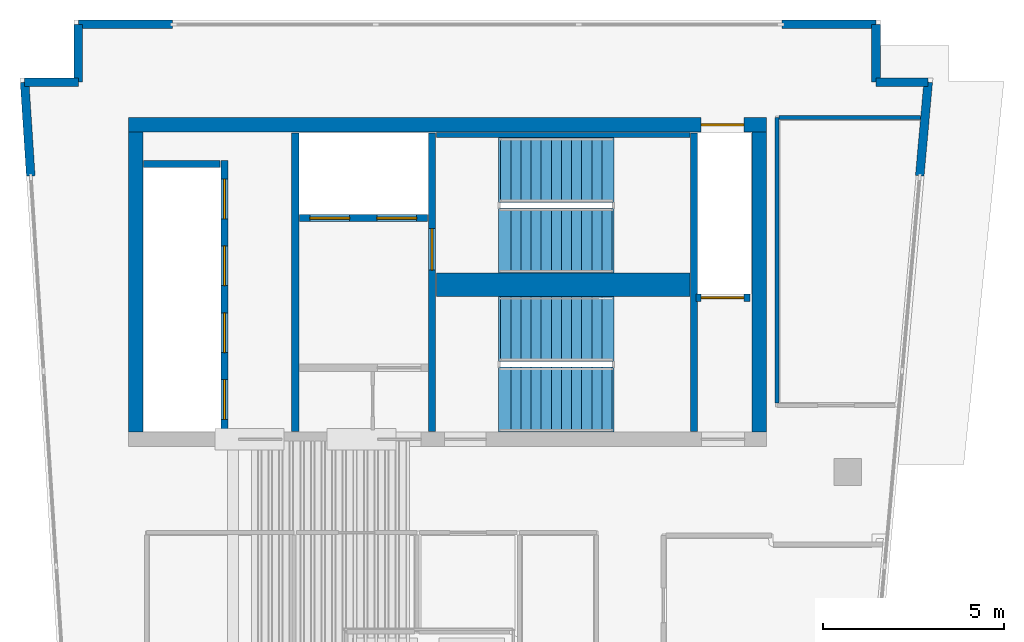
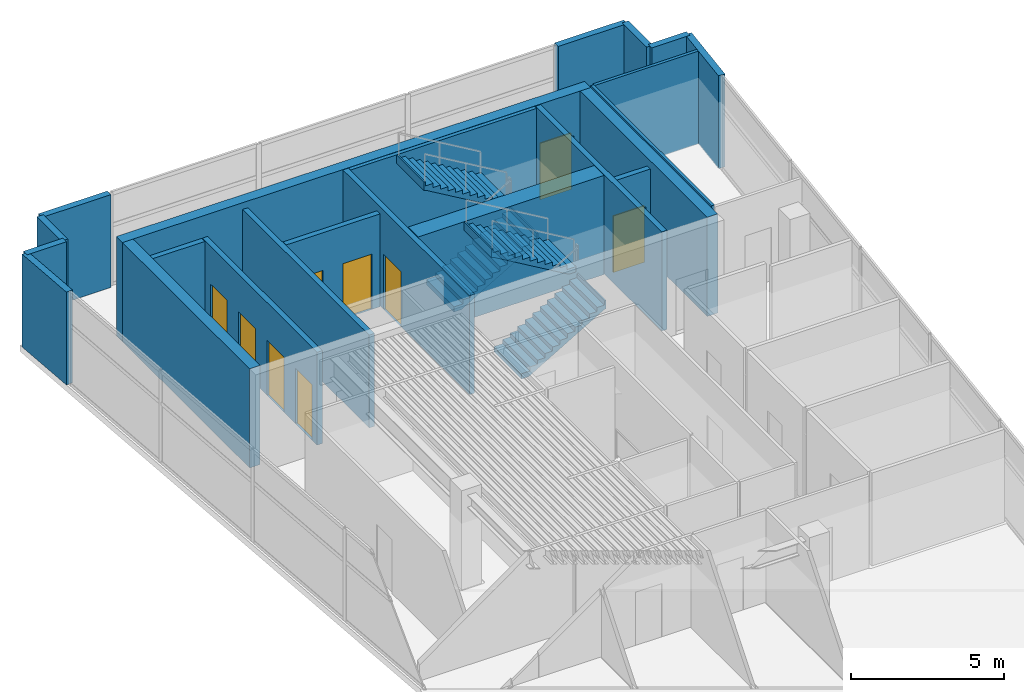
# One storey, part 5 of 7: 22 walls, 9 doors, 4 stair flights, 9 openings, 2 elements without a shape of their own.
"""IFC4 building model written with IfcOpenShell, lengths in metres."""

from ifc_helpers import new_model, si_unit, direction, frame, frame_2d, origin, place, context, subcontext, project, spatial, polyline, rectangle, outline, extrude, material, layer, layer_set, type_object, element, fill, aggregate, save


model = new_model("IFC4")

# Units and contexts
model_context = context("Model", 3, precision=1e-05, world=origin(), true_north=direction((0.0, 1.0)))
body_context = subcontext(model_context, "Body", "Model", "MODEL_VIEW")
ifc_project = project(units=[si_unit("LENGTHUNIT", "METRE"), si_unit("AREAUNIT", "SQUARE_METRE"), si_unit("VOLUMEUNIT", "CUBIC_METRE"), si_unit("PLANEANGLEUNIT", "RADIAN"), si_unit("MASSUNIT", "GRAM", prefix="KILO")], contexts=[model_context])

# Site, building, storey
site_placement = place(None, origin())
site = spatial("IfcSite", under=ifc_project, at=site_placement, CompositionType="ELEMENT")
building_placement = place(site_placement, origin())
building = spatial("IfcBuilding", under=site, at=building_placement, Name="Caeloran Harvest Quay", CompositionType="ELEMENT")
storey_placement = place(building_placement, frame((0.0, 0.0, 300.14990234375)))
storey = spatial("IfcBuildingStorey", under=building, at=storey_placement, Name="L72", CompositionType="ELEMENT", Elevation=300.14990234375)

# Walls
ifc_material_1 = material(Name="Precast concrete C50/60", Category="concrete")
ifc_layer_1 = layer(ifc_material_1, 0.239990234375, Name="Precast concrete C50/60")
ifc_layer_set_1 = layer_set([ifc_layer_1], Name="Precast concrete C50/60")
wall_type_1 = type_object("IfcWallType", Name="ENV-WALL-EW-240", PredefinedType="STANDARD", material=ifc_layer_set_1)
wall_1_placement = place(storey_placement, frame((2.902099609375, 39.185546875, 0.0), z_axis=(0.0, 0.0, 1.0), x_axis=(-0.065166541347, 0.997874401861, 0.0)))
element("IfcWall", 1, at=wall_1_placement, inside=storey, type_object=wall_type_1, Name="L72 Exterior Facade Corner Pier Wall 3B", PredefinedType="STANDARD", context=body_context, shape_type="SweptSolid", body=[
    extrude(rectangle(XDim=2.60009765625, YDim=0.239990234375, at=frame_2d((1.300048828125, 0.0))), origin(), (0.0, 0.0, 1.0), 3.7001953125),
])
wall_2_placement = place(storey_placement, frame((2.732666015625, 41.780029296875, 0.0), z_axis=(0.0, 0.0, 1.0), x_axis=(1.0, 0.0, 0.0)))
element("IfcWall", 2, at=wall_2_placement, inside=storey, type_object=wall_type_1, Name="L72 Exterior Precast Concrete Facade Wall 4", PredefinedType="STANDARD", context=body_context, shape_type="SweptSolid", body=[
    extrude(rectangle(XDim=1.4873046875, YDim=0.239990234375, at=frame_2d((0.74365234375, 0.0))), origin(), (0.0, 0.0, 1.0), 3.7001953125),
])
wall_3_placement = place(storey_placement, frame((4.219970703125, 41.780029296875, 0.0), z_axis=(0.0, 0.0, 1.0), x_axis=(0.0, 1.0, 0.0)))
element("IfcWall", 3, at=wall_3_placement, inside=storey, type_object=wall_type_1, Name="L72 Exterior Precast Concrete Facade Wall 5", PredefinedType="STANDARD", context=body_context, shape_type="SweptSolid", body=[
    extrude(rectangle(XDim=1.599853515625, YDim=0.239990234375, at=frame_2d((0.7998046875, 0.0))), origin(), (0.0, 0.0, 1.0), 3.7001953125),
])
for number, where, z_axis, x_axis, name in (
    (4, (4.219970703125, 43.3798828125, 0.0), (0.0, 0.0, 1.0), (1.0, 0.0, 0.0), "L72 Exterior Facade Corner Pier Wall 6A"),
    (5, (23.679931640625, 43.3798828125, 0.0), (0.0, 0.0, 1.0), (1.0, 0.0, 0.0), "L72 Exterior Facade Corner Pier Wall 6B"),
):
    element("IfcWall", number, at=place(storey_placement, frame(where, z_axis=z_axis, x_axis=x_axis)), inside=storey, type_object=wall_type_1, Name=name, PredefinedType="STANDARD", context=body_context, shape_type="SweptSolid", body=[
        extrude(rectangle(XDim=2.60009765625, YDim=0.239990234375, at=frame_2d((1.300048828125, 0.0))), origin(), (0.0, 0.0, 1.0), 3.7001953125),
    ])
wall_4_placement = place(storey_placement, frame((26.280029296875, 43.3798828125, 0.0), z_axis=(0.0, 0.0, 1.0), x_axis=(0.0, -1.0, 0.0)))
element("IfcWall", 6, at=wall_4_placement, inside=storey, type_object=wall_type_1, Name="L72 Exterior Precast Concrete Facade Wall 7", PredefinedType="STANDARD", context=body_context, shape_type="SweptSolid", body=[
    extrude(rectangle(XDim=1.599853515625, YDim=0.239990234375, at=frame_2d((0.7998046875, 0.0))), origin(), (0.0, 0.0, 1.0), 3.7001953125),
])
wall_5_placement = place(storey_placement, frame((26.280029296875, 41.780029296875, 0.0), z_axis=(0.0, 0.0, 1.0), x_axis=(1.0, 0.0, 0.0)))
element("IfcWall", 7, at=wall_5_placement, inside=storey, type_object=wall_type_1, Name="L72 Exterior Precast Concrete Facade Wall 8", PredefinedType="STANDARD", context=body_context, shape_type="SweptSolid", body=[
    extrude(rectangle(XDim=1.4443359375, YDim=0.239990234375, at=frame_2d((0.72216796875, 0.0))), origin(), (0.0, 0.0, 1.0), 3.7001953125),
])
wall_6_placement = place(storey_placement, frame((27.724365234375, 41.780029296875, 0.0), z_axis=(0.0, 0.0, 1.0), x_axis=(-0.089765303723, -0.995962946222, 0.0)))
element("IfcWall", 8, at=wall_6_placement, inside=storey, type_object=wall_type_1, Name="L72 Exterior Facade Corner Pier Wall 9A", PredefinedType="STANDARD", context=body_context, shape_type="SweptSolid", body=[
    extrude(rectangle(XDim=2.60009765625, YDim=0.239990234375, at=frame_2d((1.300048828125, 0.0))), origin(), (0.0, 0.0, 1.0), 3.7001953125),
])
ifc_material_2 = material(Name="Single-Stud Acoustic Gypsum Office Partition", Category="gypsum")
ifc_layer_2 = layer(ifc_material_2, 0.112060546875, Name="Single-Stud Acoustic Gypsum Office Partition")
ifc_layer_set_2 = layer_set([ifc_layer_2], Name="Single-Stud Acoustic Gypsum Office Partition")
wall_type_2 = type_object("IfcWallType", Name="INT-WALL-PW-112", PredefinedType="PARTITIONING", material=ifc_layer_set_2)
wall_7_placement = place(storey_placement, frame((23.5400390625, 32.90087890625, 0.0), z_axis=(0.0, 0.0, 1.0), x_axis=(0.0, 1.0, 0.0)))
element("IfcWall", 9, at=wall_7_placement, inside=storey, type_object=wall_type_2, Name="L72 Bioinformatics and Crop Phenotyping Laboratory Partition Wall", PredefinedType="PARTITIONING", context=body_context, shape_type="SweptSolid", body=[
    extrude(rectangle(XDim=7.899169921875, YDim=0.112060546875, at=frame_2d((3.94970703125, 0.0))), origin(), (0.0, 0.0, 1.0), 3.7001953125),
])
wall_8_placement = place(storey_placement, frame((23.60107421875, 40.800048828125, 0.0), z_axis=(0.0, 0.0, 1.0), x_axis=(1.0, 0.0, 0.0)))
element("IfcWall", 10, at=wall_8_placement, inside=storey, type_object=wall_type_2, Name="L72 Bioinformatics and Crop Phenotyping Laboratory Partition Wall", PredefinedType="PARTITIONING", context=body_context, shape_type="SweptSolid", body=[
    extrude(rectangle(XDim=3.909423828125, YDim=0.112060546875, at=frame_2d((1.95458984375, 0.0))), origin(), (0.0, 0.0, 1.0), 3.7001953125),
])

# Wall, openings, doors
ifc_material_3 = material(Name="Concrete C50/60", Category="concrete")
ifc_layer_3 = layer(ifc_material_3, 0.199951171875, Name="Concrete C50/60")
ifc_layer_set_3 = layer_set([ifc_layer_3], Name="Concrete C50/60")
wall_type_3 = type_object("IfcWallType", Name="INT-WALL-SW-200", PredefinedType="PARTITIONING", material=ifc_layer_set_3)
wall_9_placement = place(storey_placement, frame((8.260009765625, 32.1201171875, 0.0), z_axis=(0.0, 0.0, 1.0), x_axis=(0.0, 1.0, 0.0)))
wall_9 = element("IfcWall", 11, at=wall_9_placement, inside=storey, type_object=wall_type_3, Name="L72 Bank 3 Lift Shaft Wall", PredefinedType="PARTITIONING", context=body_context, shape_type="SweptSolid", body=[
    extrude(rectangle(XDim=7.5, YDim=0.199951171875, at=frame_2d((3.75, 0.0))), origin(), (0.0, 0.0, 1.0), 3.7001953125),
])
opening_1_placement = place(wall_9_placement, frame((0.330078125, 0.0, 0.0)))
opening_1 = element("IfcOpeningElement", 12, at=opening_1_placement, cuts=wall_9, Name="Opening LD-01", PredefinedType="OPENING", context=body_context, shape_type="SweptSolid", body=[
    extrude(rectangle(XDim=1.10009765625, YDim=2.199951171875, at=frame_2d((0.550048828125, 1.10009765625))), frame((0.0, 0.10986328125, 0.0), z_axis=(0.0, -1.0, 0.0), x_axis=(1.0, 0.0, 0.0)), (0.0, 0.0, 1.0), 0.219970703125),
])
opening_2_placement = place(wall_9_placement, frame((2.179931640625, 0.0, 0.0)))
opening_2 = element("IfcOpeningElement", 13, at=opening_2_placement, cuts=wall_9, Name="Opening LD-01", PredefinedType="OPENING", context=body_context, shape_type="SweptSolid", body=[
    extrude(rectangle(XDim=1.10009765625, YDim=2.199951171875, at=frame_2d((0.550048828125, 1.10009765625))), frame((0.0, 0.10986328125, 0.0), z_axis=(0.0, -1.0, 0.0), x_axis=(1.0, 0.0, 0.0)), (0.0, 0.0, 1.0), 0.219970703125),
])
opening_3_placement = place(wall_9_placement, frame((4.030029296875, 0.0, 0.0)))
opening_3 = element("IfcOpeningElement", 14, at=opening_3_placement, cuts=wall_9, Name="Opening LD-01", PredefinedType="OPENING", context=body_context, shape_type="SweptSolid", body=[
    extrude(rectangle(XDim=1.10009765625, YDim=2.199951171875, at=frame_2d((0.550048828125, 1.10009765625))), frame((0.0, 0.10986328125, 0.0), z_axis=(0.0, -1.0, 0.0), x_axis=(1.0, 0.0, 0.0)), (0.0, 0.0, 1.0), 0.219970703125),
])
opening_4_placement = place(wall_9_placement, frame((5.8798828125, 0.0, 0.0)))
opening_4 = element("IfcOpeningElement", 15, at=opening_4_placement, cuts=wall_9, Name="Opening LD-01", PredefinedType="OPENING", context=body_context, shape_type="SweptSolid", body=[
    extrude(rectangle(XDim=1.10009765625, YDim=2.199951171875, at=frame_2d((0.550048828125, 1.10009765625))), frame((0.0, 0.10986328125, 0.0), z_axis=(0.0, -1.0, 0.0), x_axis=(1.0, 0.0, 0.0)), (0.0, 0.0, 1.0), 0.219970703125),
])
ifc_material_4 = material(Name="Stainless Steel Grade 316", Category="steel")
door_type_1 = type_object("IfcDoorType", Name="INTDOOR-LD-01", OperationType="NOTDEFINED", PredefinedType="DOOR", material=ifc_material_4)
door_1_placement = place(opening_1_placement, origin())
door_1 = element("IfcDoor", 16, at=door_1_placement, inside=storey, type_object=door_type_1, Name="Lift P3-1 Sliding Landing Door (L72)", OperationType="DOUBLE_DOOR_SLIDING", OverallHeight=2.199951171875, OverallWidth=1.10009765625, PredefinedType="DOOR", context=body_context, shape_type="SweptSolid", body=[
    extrude(rectangle(XDim=1.10009765625, YDim=2.199951171875, at=frame_2d((0.550048828125, 1.10009765625))), frame((0.0, 0.02490234375, 0.0), z_axis=(0.0, -1.0, 0.0), x_axis=(1.0, 0.0, 0.0)), (0.0, 0.0, 1.0), 0.050048828125),
])
fill(opening_1, door_1)
door_2_placement = place(opening_2_placement, origin())
door_2 = element("IfcDoor", 17, at=door_2_placement, inside=storey, type_object=door_type_1, Name="Lift P3-2 Sliding Landing Door (L72)", OperationType="DOUBLE_DOOR_SLIDING", OverallHeight=2.199951171875, OverallWidth=1.10009765625, PredefinedType="DOOR", context=body_context, shape_type="SweptSolid", body=[
    extrude(rectangle(XDim=1.10009765625, YDim=2.199951171875, at=frame_2d((0.550048828125, 1.10009765625))), frame((0.0, 0.02490234375, 0.0), z_axis=(0.0, -1.0, 0.0), x_axis=(1.0, 0.0, 0.0)), (0.0, 0.0, 1.0), 0.050048828125),
])
fill(opening_2, door_2)
door_3_placement = place(opening_3_placement, origin())
door_3 = element("IfcDoor", 18, at=door_3_placement, inside=storey, type_object=door_type_1, Name="Lift P3-3 Sliding Landing Door (L72)", OperationType="DOUBLE_DOOR_SLIDING", OverallHeight=2.199951171875, OverallWidth=1.10009765625, PredefinedType="DOOR", context=body_context, shape_type="SweptSolid", body=[
    extrude(rectangle(XDim=1.10009765625, YDim=2.199951171875, at=frame_2d((0.550048828125, 1.10009765625))), frame((0.0, 0.02490234375, 0.0), z_axis=(0.0, -1.0, 0.0), x_axis=(1.0, 0.0, 0.0)), (0.0, 0.0, 1.0), 0.050048828125),
])
fill(opening_3, door_3)
door_4_placement = place(opening_4_placement, origin())
door_4 = element("IfcDoor", 19, at=door_4_placement, inside=storey, type_object=door_type_1, Name="Lift P3-4 Sliding Landing Door (L72)", OperationType="DOUBLE_DOOR_SLIDING", OverallHeight=2.199951171875, OverallWidth=1.10009765625, PredefinedType="DOOR", context=body_context, shape_type="SweptSolid", body=[
    extrude(rectangle(XDim=1.10009765625, YDim=2.199951171875, at=frame_2d((0.550048828125, 1.10009765625))), frame((0.0, 0.02490234375, 0.0), z_axis=(0.0, -1.0, 0.0), x_axis=(1.0, 0.0, 0.0)), (0.0, 0.0, 1.0), 0.050048828125),
])
fill(opening_4, door_4)

# Walls
wall_10_placement = place(storey_placement, frame((6.02001953125, 39.52001953125, 0.0), z_axis=(0.0, 0.0, 1.0), x_axis=(1.0, 0.0, 0.0)))
element("IfcWall", 20, at=wall_10_placement, inside=storey, type_object=wall_type_3, Name="L72 Bank 3 Lift Shaft North End Wall", PredefinedType="PARTITIONING", context=body_context, shape_type="SweptSolid", body=[
    extrude(rectangle(XDim=2.119873046875, YDim=0.199951171875, at=frame_2d((1.06005859375, 0.0))), origin(), (0.0, 0.0, 1.0), 3.7001953125),
])
wall_11_placement = place(storey_placement, frame((10.219970703125, 32.1201171875, 0.0), z_axis=(0.0, 0.0, 1.0), x_axis=(0.0, 1.0, 0.0)))
element("IfcWall", 21, at=wall_11_placement, inside=storey, type_object=wall_type_3, Name="L72 Core Lobby Compartment Wall", PredefinedType="PARTITIONING", context=body_context, shape_type="SweptSolid", body=[
    extrude(rectangle(XDim=8.259765625, YDim=0.199951171875, at=frame_2d((4.1298828125, 0.0))), origin(), (0.0, 0.0, 1.0), 3.7001953125),
])

# Wall, openings, doors
wall_12_placement = place(storey_placement, frame((10.340087890625, 38.02001953125, 0.0), z_axis=(0.0, 0.0, 1.0), x_axis=(1.0, 0.0, 0.0)))
wall_12 = element("IfcWall", 22, at=wall_12_placement, inside=storey, type_object=wall_type_3, Name="L72 Firefighting Lift Shaft Wall", PredefinedType="PARTITIONING", context=body_context, shape_type="SweptSolid", body=[
    extrude(rectangle(XDim=3.539794921875, YDim=0.199951171875, at=frame_2d((1.77001953125, 0.0))), origin(), (0.0, 0.0, 1.0), 3.7001953125),
])
opening_5_placement = place(wall_12_placement, frame((0.284912109375, 0.0, 0.0)))
opening_5 = element("IfcOpeningElement", 23, at=opening_5_placement, cuts=wall_12, Name="Opening LD-01", PredefinedType="OPENING", context=body_context, shape_type="SweptSolid", body=[
    extrude(rectangle(XDim=1.10009765625, YDim=2.199951171875, at=frame_2d((0.550048828125, 1.10009765625))), frame((0.0, 0.10986328125, 0.0), z_axis=(0.0, -1.0, 0.0), x_axis=(1.0, 0.0, 0.0)), (0.0, 0.0, 1.0), 0.219970703125),
])
opening_6_placement = place(wall_12_placement, frame((2.135009765625, 0.0, 0.0)))
opening_6 = element("IfcOpeningElement", 24, at=opening_6_placement, cuts=wall_12, Name="Opening LD-01", PredefinedType="OPENING", context=body_context, shape_type="SweptSolid", body=[
    extrude(rectangle(XDim=1.10009765625, YDim=2.199951171875, at=frame_2d((0.550048828125, 1.10009765625))), frame((0.0, 0.10986328125, 0.0), z_axis=(0.0, -1.0, 0.0), x_axis=(1.0, 0.0, 0.0)), (0.0, 0.0, 1.0), 0.219970703125),
])
door_5_placement = place(opening_5_placement, origin())
door_5 = element("IfcDoor", 25, at=door_5_placement, inside=storey, type_object=door_type_1, Name="Lift FF-1 Sliding Landing Door (L72)", OperationType="DOUBLE_DOOR_SLIDING", OverallHeight=2.199951171875, OverallWidth=1.10009765625, PredefinedType="DOOR", context=body_context, shape_type="SweptSolid", body=[
    extrude(rectangle(XDim=1.10009765625, YDim=2.199951171875, at=frame_2d((0.550048828125, 1.10009765625))), frame((0.0, 0.02490234375, 0.0), z_axis=(0.0, -1.0, 0.0), x_axis=(1.0, 0.0, 0.0)), (0.0, 0.0, 1.0), 0.050048828125),
])
fill(opening_5, door_5)
door_6_placement = place(opening_6_placement, origin())
door_6 = element("IfcDoor", 26, at=door_6_placement, inside=storey, type_object=door_type_1, Name="Lift FF-2 Sliding Landing Door (L72)", OperationType="DOUBLE_DOOR_SLIDING", OverallHeight=2.199951171875, OverallWidth=1.10009765625, PredefinedType="DOOR", context=body_context, shape_type="SweptSolid", body=[
    extrude(rectangle(XDim=1.10009765625, YDim=2.199951171875, at=frame_2d((0.550048828125, 1.10009765625))), frame((0.0, 0.02490234375, 0.0), z_axis=(0.0, -1.0, 0.0), x_axis=(1.0, 0.0, 0.0)), (0.0, 0.0, 1.0), 0.050048828125),
])
fill(opening_6, door_6)

# Wall, opening, door
wall_13_placement = place(storey_placement, frame((21.300048828125, 35.820068359375, 0.0), z_axis=(0.0, 0.0, 1.0), x_axis=(1.0, 0.0, 0.0)))
wall_13 = element("IfcWall", 27, at=wall_13_placement, inside=storey, type_object=wall_type_3, Name="L72 Service Lift SV-2 Shaft Wall", PredefinedType="PARTITIONING", context=body_context, shape_type="SweptSolid", body=[
    extrude(rectangle(XDim=1.5, YDim=0.199951171875, at=frame_2d((0.75, 0.0))), origin(), (0.0, 0.0, 1.0), 3.7001953125),
])
opening_7_placement = place(wall_13_placement, frame((0.14501953125, 0.0, 0.0)))
opening_7 = element("IfcOpeningElement", 28, at=opening_7_placement, cuts=wall_13, Name="Opening LD-02", PredefinedType="OPENING", context=body_context, shape_type="SweptSolid", body=[
    extrude(rectangle(XDim=1.179931640625, YDim=2.25, at=frame_2d((0.58984375, 1.125))), frame((0.0, 0.10986328125, 0.0), z_axis=(0.0, -1.0, 0.0), x_axis=(1.0, 0.0, 0.0)), (0.0, 0.0, 1.0), 0.219970703125),
])
door_type_2 = type_object("IfcDoorType", Name="INTDOOR-LD-02", OperationType="NOTDEFINED", PredefinedType="DOOR", material=ifc_material_4)
door_7_placement = place(opening_7_placement, origin())
door_7 = element("IfcDoor", 29, at=door_7_placement, inside=storey, type_object=door_type_2, Name="Lift SV-2 Sliding Landing Door (L72)", OperationType="DOUBLE_DOOR_SLIDING", OverallHeight=2.25, OverallWidth=1.179931640625, PredefinedType="DOOR", context=body_context, shape_type="SweptSolid", body=[
    extrude(rectangle(XDim=1.179931640625, YDim=2.25, at=frame_2d((0.58984375, 1.125))), frame((0.0, 0.02490234375, 0.0), z_axis=(0.0, -1.0, 0.0), x_axis=(1.0, 0.0, 0.0)), (0.0, 0.0, 1.0), 0.050048828125),
])
fill(opening_7, door_7)

ifc_material_5 = material(Name="Concrete C60/75", Category="concrete")
ifc_layer_4 = layer(ifc_material_5, 0.39990234375, Name="Concrete C60/75")
ifc_layer_set_4 = layer_set([ifc_layer_4], Name="Concrete C60/75")
wall_type_4 = type_object("IfcWallType", Name="STR-WALL-CW-400", PredefinedType="SHEAR", material=ifc_layer_set_4)
wall_14_placement = place(storey_placement, frame((5.60009765625, 40.60009765625, 0.0), z_axis=(0.0, 0.0, 1.0), x_axis=(1.0, 0.0, 0.0)))
wall_14 = element("IfcWall", 30, at=wall_14_placement, inside=storey, type_object=wall_type_4, Name="L72 Rear Core Shear Wall N", PredefinedType="SHEAR", context=body_context, shape_type="SweptSolid", body=[
    extrude(rectangle(XDim=17.64990234375, YDim=0.39990234375, at=frame_2d((8.824951171875, 0.0))), origin(), (0.0, 0.0, 1.0), 3.9501953125),
])
opening_8_placement = place(wall_14_placement, frame((15.844970703125, 0.0, 0.0)))
opening_8 = element("IfcOpeningElement", 31, at=opening_8_placement, cuts=wall_14, Name="Opening LD-02", PredefinedType="OPENING", context=body_context, shape_type="SweptSolid", body=[
    extrude(rectangle(XDim=1.179931640625, YDim=2.25, at=frame_2d((0.58984375, 1.125))), frame((0.0, 0.2099609375, 0.0), z_axis=(0.0, -1.0, 0.0), x_axis=(1.0, 0.0, 0.0)), (0.0, 0.0, 1.0), 0.419921875),
])
door_8_placement = place(opening_8_placement, origin())
door_8 = element("IfcDoor", 32, at=door_8_placement, inside=storey, type_object=door_type_2, Name="Lift SV-1 Sliding Landing Door (L72)", OperationType="DOUBLE_DOOR_SLIDING", OverallHeight=2.25, OverallWidth=1.179931640625, PredefinedType="DOOR", context=body_context, shape_type="SweptSolid", body=[
    extrude(rectangle(XDim=1.179931640625, YDim=2.25, at=frame_2d((0.58984375, 1.125))), frame((0.0, 0.02490234375, 0.0), z_axis=(0.0, -1.0, 0.0), x_axis=(1.0, 0.0, 0.0)), (0.0, 0.0, 1.0), 0.050048828125),
])
fill(opening_8, door_8)

# Walls
for number, where, z_axis, x_axis, name in (
    (33, (5.800048828125, 32.10009765625, 0.0), (0.0, 0.0, 1.0), (0.0, 1.0, 0.0), "L72 Rear Core Shear Wall W"),
    (34, (23.050048828125, 32.10009765625, 0.0), (0.0, 0.0, 1.0), (0.0, 1.0, 0.0), "L72 Rear Core Shear Wall E"),
):
    element("IfcWall", number, at=place(storey_placement, frame(where, z_axis=z_axis, x_axis=x_axis)), inside=storey, type_object=wall_type_4, Name=name, PredefinedType="SHEAR", context=body_context, shape_type="SweptSolid", body=[
        extrude(rectangle(XDim=8.2998046875, YDim=0.39990234375, at=frame_2d((4.14990234375, 0.0))), origin(), (0.0, 0.0, 1.0), 3.9501953125),
    ])
ifc_layer_5 = layer(ifc_material_5, 0.64990234375, Name="Concrete C60/75")
ifc_layer_set_5 = layer_set([ifc_layer_5], Name="Concrete C60/75")
wall_type_5 = type_object("IfcWallType", Name="STR-WALL-CW-650", PredefinedType="SHEAR", material=ifc_layer_set_5)
wall_15_placement = place(storey_placement, frame((14.1201171875, 36.175048828125, 0.0), z_axis=(0.0, 0.0, 1.0), x_axis=(1.0, 0.0, 0.0)))
element("IfcWall", 35, at=wall_15_placement, inside=storey, type_object=wall_type_5, Name="L72 Core Stairs Dividing Shear Wall", PredefinedType="SHEAR", context=body_context, shape_type="SweptSolid", body=[
    extrude(rectangle(XDim=7.009765625, YDim=0.64990234375, at=frame_2d((3.5048828125, 0.0))), origin(), (0.0, 0.0, 1.0), 3.9501953125),
])
ifc_layer_6 = layer(ifc_material_5, 0.139892578125, Name="Concrete C60/75")
ifc_layer_set_6 = layer_set([ifc_layer_6], Name="Concrete C60/75")
wall_type_6 = type_object("IfcWallType", Name="STR-WALL-SW-140", PredefinedType="SHEAR", material=ifc_layer_set_6)
wall_16_placement = place(storey_placement, frame((14.1201171875, 40.320068359375, 0.0), z_axis=(0.0, 0.0, 1.0), x_axis=(1.0, 0.0, 0.0)))
element("IfcWall", 36, at=wall_16_placement, inside=storey, type_object=wall_type_6, Name="L72 Core Stair ST-C1 North Bearing Shear Wall", PredefinedType="SHEAR", context=body_context, shape_type="SweptSolid", body=[
    extrude(rectangle(XDim=7.009765625, YDim=0.139892578125, at=frame_2d((3.5048828125, 0.0))), origin(), (0.0, 0.0, 1.0), 3.9501953125),
])

# Wall, opening, door
ifc_layer_7 = layer(ifc_material_5, 0.199951171875, Name="Concrete C60/75")
ifc_layer_set_7 = layer_set([ifc_layer_7], Name="Concrete C60/75")
wall_type_7 = type_object("IfcWallType", Name="STR-WALL-SW-200", PredefinedType="SHEAR", material=ifc_layer_set_7)
wall_17_placement = place(storey_placement, frame((14.0, 32.1201171875, 0.0), z_axis=(0.0, 0.0, 1.0), x_axis=(0.0, 1.0, 0.0)))
wall_17 = element("IfcWall", 37, at=wall_17_placement, inside=storey, type_object=wall_type_7, Name="L72 Core Stair Shaft West Shear Wall", PredefinedType="SHEAR", context=body_context, shape_type="SweptSolid", body=[
    extrude(rectangle(XDim=8.259765625, YDim=0.199951171875, at=frame_2d((4.1298828125, 0.0))), origin(), (0.0, 0.0, 1.0), 3.9501953125),
])
opening_9_placement = place(wall_17_placement, frame((4.4599609375, 0.0, 0.0)))
opening_9 = element("IfcOpeningElement", 38, at=opening_9_placement, cuts=wall_17, Name="Opening SD-01", PredefinedType="OPENING", context=body_context, shape_type="SweptSolid", body=[
    extrude(rectangle(XDim=1.14990234375, YDim=2.199951171875, at=frame_2d((0.574951171875, 1.10009765625))), frame((0.0, 0.10986328125, 0.0), z_axis=(0.0, -1.0, 0.0), x_axis=(1.0, 0.0, 0.0)), (0.0, 0.0, 1.0), 0.219970703125),
])
ifc_material_6 = material(Name="Steel", Category="steel")
door_type_3 = type_object("IfcDoorType", Name="INTDOOR-SD-01", OperationType="NOTDEFINED", PredefinedType="DOOR", material=ifc_material_6)
door_9_placement = place(opening_9_placement, origin())
door_9 = element("IfcDoor", 39, at=door_9_placement, inside=storey, type_object=door_type_3, Name="L72 Protected Stair ST-C1 Exit Door", OperationType="SINGLE_SWING_LEFT", OverallHeight=2.199951171875, OverallWidth=1.14990234375, PredefinedType="DOOR", context=body_context, shape_type="SweptSolid", body=[
    extrude(rectangle(XDim=1.14990234375, YDim=2.199951171875, at=frame_2d((0.574951171875, 1.10009765625))), frame((0.0, 0.02490234375, 0.0), z_axis=(0.0, -1.0, 0.0), x_axis=(1.0, 0.0, 0.0)), (0.0, 0.0, 1.0), 0.050048828125),
])
fill(opening_9, door_9)

# Wall
wall_18_placement = place(storey_placement, frame((21.25, 32.1201171875, 0.0), z_axis=(0.0, 0.0, 1.0), x_axis=(0.0, 1.0, 0.0)))
element("IfcWall", 40, at=wall_18_placement, inside=storey, type_object=wall_type_7, Name="L72 Core Stair Shaft East Shear Wall", PredefinedType="SHEAR", context=body_context, shape_type="SweptSolid", body=[
    extrude(rectangle(XDim=8.259765625, YDim=0.199951171875, at=frame_2d((4.1298828125, 0.0))), origin(), (0.0, 0.0, 1.0), 3.9501953125),
])

# Stair, stair flights
stair_type = type_object("IfcStairType", Name="STAIR-STC-180", PredefinedType="HALF_TURN_STAIR", material=ifc_material_3)
stair_1_placement = place(storey_placement, origin())
stair_1 = element("IfcStair", 41, at=stair_1_placement, inside=storey, type_object=stair_type, Name="L72 Core Pressurized Exit Stair ST-C1", PredefinedType="HALF_TURN_STAIR")
stair_flight_type = type_object("IfcStairFlightType", Name="FLIGHT-STC-180", PredefinedType="STRAIGHT", material=ifc_material_3)
stair_flight_1_placement = place(storey_placement, frame((15.89990234375, 37.39990234375, 0.0), z_axis=(0.0, 0.0, 1.0), x_axis=(1.0, 0.0, 0.0)))
stair_flight_1 = element("IfcStairFlight", 42, at=stair_flight_1_placement, type_object=stair_flight_type, Name="ST-C1 flight 1", NumberOfRisers=12, NumberOfTreads=11, PredefinedType="STRAIGHT", RiserHeight=0.164583333, TreadLength=0.28, context=body_context, shape_type="SweptSolid", body=[
    extrude(outline(polyline([(-0.054931640625, -0.044921875), (-0.054931640625, -0.031982421875), (-0.054931640625, -0.018798828125), (-0.054931640625, -0.005615234375), (-0.054931640625, 0.00732421875), (-0.054931640625, 0.0205078125), (-0.054931640625, 0.03369140625), (-0.054931640625, 0.046630859375), (-0.054931640625, 0.059814453125), (-0.054931640625, 0.072998046875), (-0.054931640625, 0.0859375), (-0.054931640625, 0.09912109375), (-0.054931640625, 0.1123046875), (-0.054931640625, 0.125244140625), (-0.054931640625, 0.138427734375), (-0.054931640625, 0.1513671875), (-0.054931640625, 0.16455078125), (0.280029296875, 0.16455078125), (0.280029296875, 0.3291015625), (0.56005859375, 0.3291015625), (0.56005859375, 0.49365234375), (0.840087890625, 0.49365234375), (0.840087890625, 0.658447265625), (1.1201171875, 0.658447265625), (1.1201171875, 0.822998046875), (1.39990234375, 0.822998046875), (1.39990234375, 0.987548828125), (1.679931640625, 0.987548828125), (1.679931640625, 1.152099609375), (1.9599609375, 1.152099609375), (1.9599609375, 1.316650390625), (2.239990234375, 1.316650390625), (2.239990234375, 1.481201171875), (2.52001953125, 1.481201171875), (2.52001953125, 1.645751953125), (2.800048828125, 1.645751953125), (2.800048828125, 1.810302734375), (3.080078125, 1.810302734375), (3.080078125, 1.97509765625), (3.135009765625, 1.97509765625), (3.135009765625, 1.953857421875), (3.135009765625, 1.9326171875), (3.135009765625, 1.91162109375), (3.135009765625, 1.890380859375), (3.135009765625, 1.869140625), (3.135009765625, 1.84814453125), (3.135009765625, 1.826904296875), (3.135009765625, 1.8056640625), (3.135009765625, 1.78466796875), (3.135009765625, 1.763427734375), (3.135009765625, 1.7421875), (3.135009765625, 1.72119140625), (3.135009765625, 1.699951171875), (3.135009765625, 1.678955078125), (3.135009765625, 1.65771484375), (3.135009765625, 1.636474609375), (3.080078125, 1.636474609375), (0.21923828125, -0.044921875), (-0.054931640625, -0.044921875)])), frame((0.0, 0.89990234375, 0.0), z_axis=(0.0, -1.0, 0.0), x_axis=(1.0, 0.0, 0.0)), (0.0, 0.0, 1.0), 1.800048828125),
])
stair_flight_2_placement = place(storey_placement, frame((18.97998046875, 39.35009765625, 1.97509765625), z_axis=(0.0, 0.0, 1.0), x_axis=(-1.0, 0.0, 0.0)))
stair_flight_2 = element("IfcStairFlight", 43, at=stair_flight_2_placement, type_object=stair_flight_type, Name="ST-C1 flight 2", NumberOfRisers=12, NumberOfTreads=11, PredefinedType="STRAIGHT", RiserHeight=0.164583333, TreadLength=0.28, context=body_context, shape_type="SweptSolid", body=[
    extrude(outline(polyline([(-0.054931640625, -0.044921875), (-0.054931640625, -0.031982421875), (-0.054931640625, -0.018798828125), (-0.054931640625, -0.005615234375), (-0.054931640625, 0.00732421875), (-0.054931640625, 0.0205078125), (-0.054931640625, 0.03369140625), (-0.054931640625, 0.046630859375), (-0.054931640625, 0.059814453125), (-0.054931640625, 0.072998046875), (-0.054931640625, 0.0859375), (-0.054931640625, 0.09912109375), (-0.054931640625, 0.1123046875), (-0.054931640625, 0.125244140625), (-0.054931640625, 0.138427734375), (-0.054931640625, 0.1513671875), (-0.054931640625, 0.16455078125), (0.280029296875, 0.16455078125), (0.280029296875, 0.3291015625), (0.56005859375, 0.3291015625), (0.56005859375, 0.49365234375), (0.840087890625, 0.49365234375), (0.840087890625, 0.658447265625), (1.1201171875, 0.658447265625), (1.1201171875, 0.822998046875), (1.39990234375, 0.822998046875), (1.39990234375, 0.987548828125), (1.679931640625, 0.987548828125), (1.679931640625, 1.152099609375), (1.9599609375, 1.152099609375), (1.9599609375, 1.316650390625), (2.239990234375, 1.316650390625), (2.239990234375, 1.481201171875), (2.52001953125, 1.481201171875), (2.52001953125, 1.645751953125), (2.800048828125, 1.645751953125), (2.800048828125, 1.810302734375), (3.080078125, 1.810302734375), (3.080078125, 1.97509765625), (3.135009765625, 1.97509765625), (3.135009765625, 1.953857421875), (3.135009765625, 1.9326171875), (3.135009765625, 1.91162109375), (3.135009765625, 1.890380859375), (3.135009765625, 1.869140625), (3.135009765625, 1.84814453125), (3.135009765625, 1.826904296875), (3.135009765625, 1.8056640625), (3.135009765625, 1.78466796875), (3.135009765625, 1.763427734375), (3.135009765625, 1.7421875), (3.135009765625, 1.72119140625), (3.135009765625, 1.699951171875), (3.135009765625, 1.678955078125), (3.135009765625, 1.65771484375), (3.135009765625, 1.636474609375), (3.080078125, 1.636474609375), (0.21923828125, -0.044921875), (-0.054931640625, -0.044921875)])), frame((0.0, 0.89990234375, 0.0), z_axis=(0.0, -1.0, 0.0), x_axis=(1.0, 0.0, 0.0)), (0.0, 0.0, 1.0), 1.800048828125),
])
aggregate(stair_1, [stair_flight_1, stair_flight_2])

stair_2_placement = place(storey_placement, origin())
stair_2 = element("IfcStair", 44, at=stair_2_placement, inside=storey, type_object=stair_type, Name="L72 Core Pressurized Exit Stair ST-C2", PredefinedType="HALF_TURN_STAIR")
stair_flight_3_placement = place(storey_placement, frame((15.89990234375, 33.0, 0.0), z_axis=(0.0, 0.0, 1.0), x_axis=(1.0, 0.0, 0.0)))
stair_flight_3 = element("IfcStairFlight", 45, at=stair_flight_3_placement, type_object=stair_flight_type, Name="ST-C2 flight 1", NumberOfRisers=12, NumberOfTreads=11, PredefinedType="STRAIGHT", RiserHeight=0.164583333, TreadLength=0.28, context=body_context, shape_type="SweptSolid", body=[
    extrude(outline(polyline([(-0.054931640625, -0.044921875), (-0.054931640625, -0.031982421875), (-0.054931640625, -0.018798828125), (-0.054931640625, -0.005615234375), (-0.054931640625, 0.00732421875), (-0.054931640625, 0.0205078125), (-0.054931640625, 0.03369140625), (-0.054931640625, 0.046630859375), (-0.054931640625, 0.059814453125), (-0.054931640625, 0.072998046875), (-0.054931640625, 0.0859375), (-0.054931640625, 0.09912109375), (-0.054931640625, 0.1123046875), (-0.054931640625, 0.125244140625), (-0.054931640625, 0.138427734375), (-0.054931640625, 0.1513671875), (-0.054931640625, 0.16455078125), (0.280029296875, 0.16455078125), (0.280029296875, 0.3291015625), (0.56005859375, 0.3291015625), (0.56005859375, 0.49365234375), (0.840087890625, 0.49365234375), (0.840087890625, 0.658447265625), (1.1201171875, 0.658447265625), (1.1201171875, 0.822998046875), (1.39990234375, 0.822998046875), (1.39990234375, 0.987548828125), (1.679931640625, 0.987548828125), (1.679931640625, 1.152099609375), (1.9599609375, 1.152099609375), (1.9599609375, 1.316650390625), (2.239990234375, 1.316650390625), (2.239990234375, 1.481201171875), (2.52001953125, 1.481201171875), (2.52001953125, 1.645751953125), (2.800048828125, 1.645751953125), (2.800048828125, 1.810302734375), (3.080078125, 1.810302734375), (3.080078125, 1.97509765625), (3.135009765625, 1.97509765625), (3.135009765625, 1.953857421875), (3.135009765625, 1.9326171875), (3.135009765625, 1.91162109375), (3.135009765625, 1.890380859375), (3.135009765625, 1.869140625), (3.135009765625, 1.84814453125), (3.135009765625, 1.826904296875), (3.135009765625, 1.8056640625), (3.135009765625, 1.78466796875), (3.135009765625, 1.763427734375), (3.135009765625, 1.7421875), (3.135009765625, 1.72119140625), (3.135009765625, 1.699951171875), (3.135009765625, 1.678955078125), (3.135009765625, 1.65771484375), (3.135009765625, 1.636474609375), (3.080078125, 1.636474609375), (0.21923828125, -0.044921875), (-0.054931640625, -0.044921875)])), frame((0.0, 0.89990234375, 0.0), z_axis=(0.0, -1.0, 0.0), x_axis=(1.0, 0.0, 0.0)), (0.0, 0.0, 1.0), 1.800048828125),
])
stair_flight_4_placement = place(storey_placement, frame((18.97998046875, 34.949951171875, 1.97509765625), z_axis=(0.0, 0.0, 1.0), x_axis=(-1.0, 0.0, 0.0)))
stair_flight_4 = element("IfcStairFlight", 46, at=stair_flight_4_placement, type_object=stair_flight_type, Name="ST-C2 flight 2", NumberOfRisers=12, NumberOfTreads=11, PredefinedType="STRAIGHT", RiserHeight=0.164583333, TreadLength=0.28, context=body_context, shape_type="SweptSolid", body=[
    extrude(outline(polyline([(-0.054931640625, -0.044921875), (-0.054931640625, -0.031982421875), (-0.054931640625, -0.018798828125), (-0.054931640625, -0.005615234375), (-0.054931640625, 0.00732421875), (-0.054931640625, 0.0205078125), (-0.054931640625, 0.03369140625), (-0.054931640625, 0.046630859375), (-0.054931640625, 0.059814453125), (-0.054931640625, 0.072998046875), (-0.054931640625, 0.0859375), (-0.054931640625, 0.09912109375), (-0.054931640625, 0.1123046875), (-0.054931640625, 0.125244140625), (-0.054931640625, 0.138427734375), (-0.054931640625, 0.1513671875), (-0.054931640625, 0.16455078125), (0.280029296875, 0.16455078125), (0.280029296875, 0.3291015625), (0.56005859375, 0.3291015625), (0.56005859375, 0.49365234375), (0.840087890625, 0.49365234375), (0.840087890625, 0.658447265625), (1.1201171875, 0.658447265625), (1.1201171875, 0.822998046875), (1.39990234375, 0.822998046875), (1.39990234375, 0.987548828125), (1.679931640625, 0.987548828125), (1.679931640625, 1.152099609375), (1.9599609375, 1.152099609375), (1.9599609375, 1.316650390625), (2.239990234375, 1.316650390625), (2.239990234375, 1.481201171875), (2.52001953125, 1.481201171875), (2.52001953125, 1.645751953125), (2.800048828125, 1.645751953125), (2.800048828125, 1.810302734375), (3.080078125, 1.810302734375), (3.080078125, 1.97509765625), (3.135009765625, 1.97509765625), (3.135009765625, 1.953857421875), (3.135009765625, 1.9326171875), (3.135009765625, 1.91162109375), (3.135009765625, 1.890380859375), (3.135009765625, 1.869140625), (3.135009765625, 1.84814453125), (3.135009765625, 1.826904296875), (3.135009765625, 1.8056640625), (3.135009765625, 1.78466796875), (3.135009765625, 1.763427734375), (3.135009765625, 1.7421875), (3.135009765625, 1.72119140625), (3.135009765625, 1.699951171875), (3.135009765625, 1.678955078125), (3.135009765625, 1.65771484375), (3.135009765625, 1.636474609375), (3.080078125, 1.636474609375), (0.21923828125, -0.044921875), (-0.054931640625, -0.044921875)])), frame((0.0, 0.89990234375, 0.0), z_axis=(0.0, -1.0, 0.0), x_axis=(1.0, 0.0, 0.0)), (0.0, 0.0, 1.0), 1.800048828125),
])
aggregate(stair_2, [stair_flight_3, stair_flight_4])

save(model, "model.ifc")
